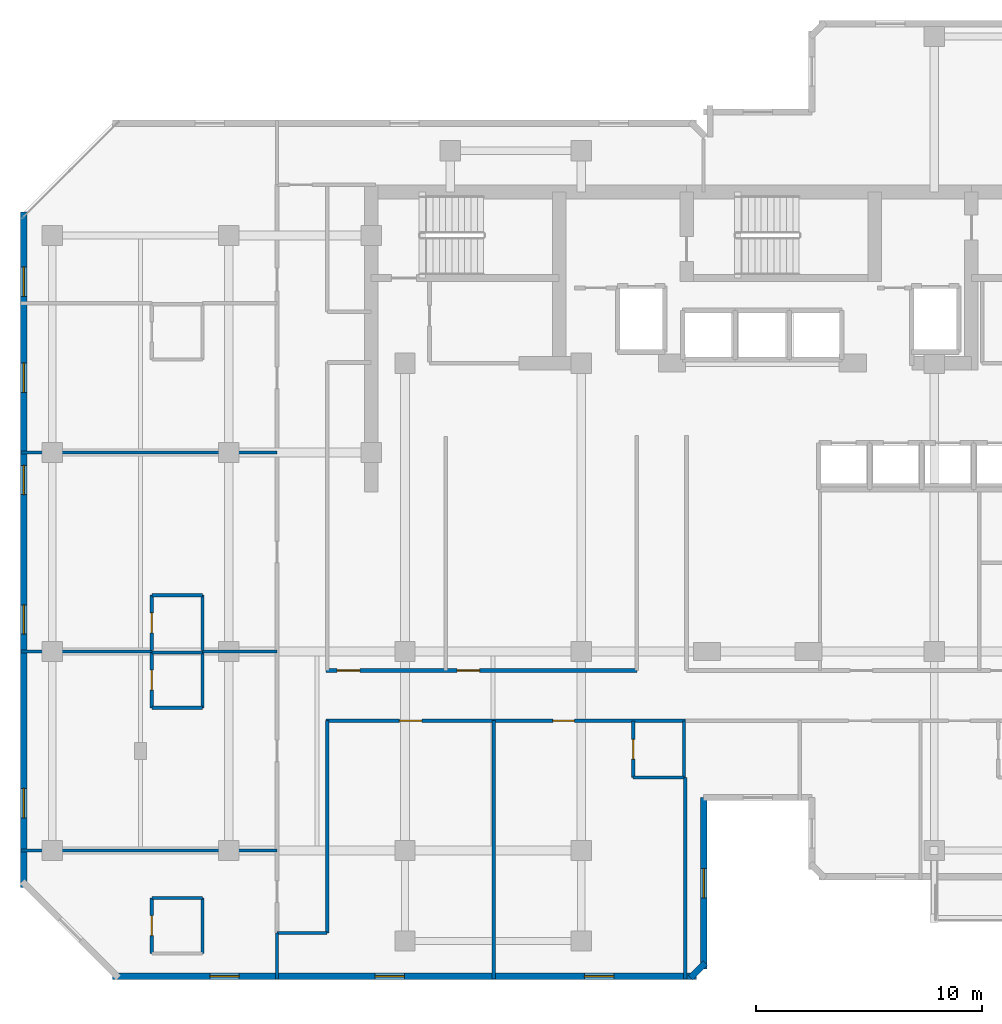
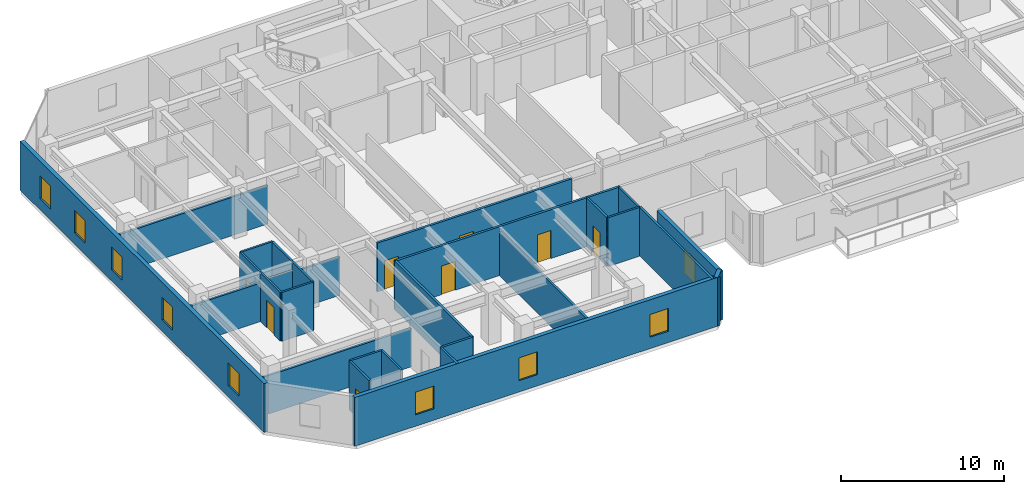
# One storey, part 4 of 11: 28 walls, 9 windows, 8 doors, 17 openings.
"""IFC4 building model written with IfcOpenShell, lengths in metres."""

from ifc_helpers import new_model, si_unit, direction, frame, frame_2d, origin, place, context, subcontext, project, spatial, rectangle, extrude, material, layer, layer_set, type_object, element, fill, save


model = new_model("IFC4")

# Units and contexts
model_context = context("Model", 3, precision=1e-05, world=origin(), true_north=direction((0.0, 1.0)))
body_context = subcontext(model_context, "Body", "Model", "MODEL_VIEW")
ifc_project = project(units=[si_unit("LENGTHUNIT", "METRE"), si_unit("AREAUNIT", "SQUARE_METRE"), si_unit("VOLUMEUNIT", "CUBIC_METRE"), si_unit("PLANEANGLEUNIT", "RADIAN"), si_unit("MASSUNIT", "GRAM", prefix="KILO")], contexts=[model_context])

# Site, building, storey
site_placement = place(None, origin())
site = spatial("IfcSite", under=ifc_project, at=site_placement, CompositionType="ELEMENT")
building_placement = place(site_placement, origin())
building = spatial("IfcBuilding", under=site, at=building_placement, Name="Kestravale Grand Hotel", CompositionType="ELEMENT")
storey_placement = place(building_placement, frame((0.0, 0.0, 192.89990234375)))
storey = spatial("IfcBuildingStorey", under=building, at=storey_placement, Name="L48", CompositionType="ELEMENT", Elevation=192.89990234375)

# Wall, openings, windows
ifc_material_1 = material(Name="Precast concrete f'c 45 MPa", Category="concrete")
ifc_layer_1 = layer(ifc_material_1, 0.280029296875)
ifc_layer_set_1 = layer_set([ifc_layer_1], Name="EW-PREC-280")
wall_type_1 = type_object("IfcWallType", Name="EW-PREC-280", PredefinedType="SOLIDWALL", material=ifc_layer_set_1)
wall_1_placement = place(storey_placement, frame((10.4599609375, 5.639892578125, 0.0), z_axis=(0.0, 0.0, 1.0), x_axis=(1.0, 0.0, 0.0)))
wall_1 = element("IfcWall", 1, at=wall_1_placement, inside=storey, type_object=wall_type_1, Name="L48 fluted precast facade wall 1", PredefinedType="SOLIDWALL", context=body_context, shape_type="SweptSolid", body=[
    extrude(rectangle(XDim=25.830078125, YDim=0.280029296875, at=frame_2d((12.9150390625, 0.0))), origin(), (0.0, 0.0, 1.0), 3.650146484375),
])
opening_1_placement = place(wall_1_placement, frame((4.304931640625, 0.0, 0.85009765625)))
opening_1 = element("IfcOpeningElement", 2, at=opening_1_placement, cuts=wall_1, Name="Opening W-GUEST-1300", PredefinedType="OPENING", context=body_context, shape_type="SweptSolid", body=[
    extrude(rectangle(XDim=1.300048828125, YDim=1.699951171875, at=frame_2d((0.64990234375, 0.85009765625))), frame((0.0, 0.14990234375, 0.0), z_axis=(0.0, -1.0, 0.0), x_axis=(1.0, 0.0, 0.0)), (0.0, 0.0, 1.0), 0.300048828125),
])
opening_2_placement = place(wall_1_placement, frame((11.614990234375, 0.0, 0.85009765625)))
opening_2 = element("IfcOpeningElement", 3, at=opening_2_placement, cuts=wall_1, Name="Opening W-GUEST-1300", PredefinedType="OPENING", context=body_context, shape_type="SweptSolid", body=[
    extrude(rectangle(XDim=1.300048828125, YDim=1.699951171875, at=frame_2d((0.64990234375, 0.85009765625))), frame((0.0, 0.14990234375, 0.0), z_axis=(0.0, -1.0, 0.0), x_axis=(1.0, 0.0, 0.0)), (0.0, 0.0, 1.0), 0.300048828125),
])
opening_3_placement = place(wall_1_placement, frame((20.875, 0.0, 0.85009765625)))
opening_3 = element("IfcOpeningElement", 4, at=opening_3_placement, cuts=wall_1, Name="Opening W-GUEST-1300", PredefinedType="OPENING", context=body_context, shape_type="SweptSolid", body=[
    extrude(rectangle(XDim=1.300048828125, YDim=1.699951171875, at=frame_2d((0.64990234375, 0.85009765625))), frame((0.0, 0.14990234375, 0.0), z_axis=(0.0, -1.0, 0.0), x_axis=(1.0, 0.0, 0.0)), (0.0, 0.0, 1.0), 0.300048828125),
])
ifc_material_2 = material(Name="Insulated low-E double glazing in aluminium frame", Category="aluminium")
window_type = type_object("IfcWindowType", Name="W-GUEST-1300", PartitioningType="SINGLE_PANEL", PredefinedType="WINDOW", material=ifc_material_2)
window_1_placement = place(opening_1_placement, origin())
window_1 = element("IfcWindow", 5, at=window_1_placement, inside=storey, type_object=window_type, Name="L48 exterior window 1.1", OverallHeight=1.699951171875, OverallWidth=1.300048828125, PartitioningType="SINGLE_PANEL", PredefinedType="WINDOW", context=body_context, shape_type="SweptSolid", body=[
    extrude(rectangle(XDim=1.300048828125, YDim=1.699951171875, at=frame_2d((0.64990234375, 0.85009765625))), frame((0.0, 0.030029296875, 0.0), z_axis=(0.0, -1.0, 0.0), x_axis=(1.0, 0.0, 0.0)), (0.0, 0.0, 1.0), 0.06005859375),
])
fill(opening_1, window_1)
window_2_placement = place(opening_2_placement, origin())
window_2 = element("IfcWindow", 6, at=window_2_placement, inside=storey, type_object=window_type, Name="L48 exterior window 1.2", OverallHeight=1.699951171875, OverallWidth=1.300048828125, PartitioningType="SINGLE_PANEL", PredefinedType="WINDOW", context=body_context, shape_type="SweptSolid", body=[
    extrude(rectangle(XDim=1.300048828125, YDim=1.699951171875, at=frame_2d((0.64990234375, 0.85009765625))), frame((0.0, 0.030029296875, 0.0), z_axis=(0.0, -1.0, 0.0), x_axis=(1.0, 0.0, 0.0)), (0.0, 0.0, 1.0), 0.06005859375),
])
fill(opening_2, window_2)
window_3_placement = place(opening_3_placement, origin())
window_3 = element("IfcWindow", 7, at=window_3_placement, inside=storey, type_object=window_type, Name="L48 exterior window 1.3", OverallHeight=1.699951171875, OverallWidth=1.300048828125, PartitioningType="SINGLE_PANEL", PredefinedType="WINDOW", context=body_context, shape_type="SweptSolid", body=[
    extrude(rectangle(XDim=1.300048828125, YDim=1.699951171875, at=frame_2d((0.64990234375, 0.85009765625))), frame((0.0, 0.030029296875, 0.0), z_axis=(0.0, -1.0, 0.0), x_axis=(1.0, 0.0, 0.0)), (0.0, 0.0, 1.0), 0.06005859375),
])
fill(opening_3, window_3)

# Wall
wall_2_placement = place(storey_placement, frame((36.022705078125, 5.57080078125, 0.0), z_axis=(0.0, 0.0, 1.0), x_axis=(0.707106781187, 0.707106781187, 0.0)))
element("IfcWall", 8, at=wall_2_placement, inside=storey, type_object=wall_type_1, Name="L48 fluted precast facade wall 2", PredefinedType="SOLIDWALL", context=body_context, shape_type="SweptSolid", body=[
    extrude(rectangle(XDim=0.928466796875, YDim=0.280029296875, at=frame_2d((0.46435546875, 0.0))), origin(), (0.0, 0.0, 1.0), 3.650146484375),
])

# Wall, opening, window
wall_3_placement = place(storey_placement, frame((36.610107421875, 5.9599609375, 0.0), z_axis=(0.0, 0.0, 1.0), x_axis=(0.0, 1.0, 0.0)))
wall_3 = element("IfcWall", 9, at=wall_3_placement, inside=storey, type_object=wall_type_1, Name="L48 fluted precast facade wall 3", PredefinedType="SOLIDWALL", context=body_context, shape_type="SweptSolid", body=[
    extrude(rectangle(XDim=7.580078125, YDim=0.280029296875, at=frame_2d((3.7900390625, 0.0))), origin(), (0.0, 0.0, 1.0), 3.650146484375),
])
opening_4_placement = place(wall_3_placement, frame((3.139892578125, 0.0, 0.85009765625)))
opening_4 = element("IfcOpeningElement", 10, at=opening_4_placement, cuts=wall_3, Name="Opening W-GUEST-1300", PredefinedType="OPENING", context=body_context, shape_type="SweptSolid", body=[
    extrude(rectangle(XDim=1.300048828125, YDim=1.699951171875, at=frame_2d((0.64990234375, 0.85009765625))), frame((0.0, 0.14990234375, 0.0), z_axis=(0.0, -1.0, 0.0), x_axis=(1.0, 0.0, 0.0)), (0.0, 0.0, 1.0), 0.300048828125),
])
window_4_placement = place(opening_4_placement, origin())
window_4 = element("IfcWindow", 11, at=window_4_placement, inside=storey, type_object=window_type, Name="L48 exterior window 3.1", OverallHeight=1.699951171875, OverallWidth=1.300048828125, PartitioningType="SINGLE_PANEL", PredefinedType="WINDOW", context=body_context, shape_type="SweptSolid", body=[
    extrude(rectangle(XDim=1.300048828125, YDim=1.699951171875, at=frame_2d((0.64990234375, 0.85009765625))), frame((0.0, 0.030029296875, 0.0), z_axis=(0.0, -1.0, 0.0), x_axis=(1.0, 0.0, 0.0)), (0.0, 0.0, 1.0), 0.06005859375),
])
fill(opening_4, window_4)

# Wall, openings, windows
wall_4_placement = place(storey_placement, frame((6.5400390625, 39.43994140625, 0.0), z_axis=(0.0, 0.0, 1.0), x_axis=(0.0, -1.0, 0.0)))
wall_4 = element("IfcWall", 12, at=wall_4_placement, inside=storey, type_object=wall_type_1, Name="L48 fluted precast facade wall 19", PredefinedType="SOLIDWALL", context=body_context, shape_type="SweptSolid", body=[
    extrude(rectangle(XDim=29.8798828125, YDim=0.280029296875, at=frame_2d((14.93994140625, 0.0))), origin(), (0.0, 0.0, 1.0), 3.650146484375),
])
opening_5_placement = place(wall_4_placement, frame((2.43505859375, 0.0, 0.85009765625)))
opening_5 = element("IfcOpeningElement", 13, at=opening_5_placement, cuts=wall_4, Name="Opening W-GUEST-1300", PredefinedType="OPENING", context=body_context, shape_type="SweptSolid", body=[
    extrude(rectangle(XDim=1.300048828125, YDim=1.699951171875, at=frame_2d((0.64990234375, 0.85009765625))), frame((0.0, 0.14990234375, 0.0), z_axis=(0.0, -1.0, 0.0), x_axis=(1.0, 0.0, 0.0)), (0.0, 0.0, 1.0), 0.300048828125),
])
opening_6_placement = place(wall_4_placement, frame((11.205078125, 0.0, 0.85009765625)))
opening_6 = element("IfcOpeningElement", 14, at=opening_6_placement, cuts=wall_4, Name="Opening W-GUEST-1300", PredefinedType="OPENING", context=body_context, shape_type="SweptSolid", body=[
    extrude(rectangle(XDim=1.300048828125, YDim=1.699951171875, at=frame_2d((0.64990234375, 0.85009765625))), frame((0.0, 0.14990234375, 0.0), z_axis=(0.0, -1.0, 0.0), x_axis=(1.0, 0.0, 0.0)), (0.0, 0.0, 1.0), 0.300048828125),
])
opening_7_placement = place(wall_4_placement, frame((17.375, 0.0, 0.85009765625)))
opening_7 = element("IfcOpeningElement", 15, at=opening_7_placement, cuts=wall_4, Name="Opening W-GUEST-1300", PredefinedType="OPENING", context=body_context, shape_type="SweptSolid", body=[
    extrude(rectangle(XDim=1.300048828125, YDim=1.699951171875, at=frame_2d((0.64990234375, 0.85009765625))), frame((0.0, 0.14990234375, 0.0), z_axis=(0.0, -1.0, 0.0), x_axis=(1.0, 0.0, 0.0)), (0.0, 0.0, 1.0), 0.300048828125),
])
opening_8_placement = place(wall_4_placement, frame((25.4951171875, 0.0, 0.85009765625)))
opening_8 = element("IfcOpeningElement", 16, at=opening_8_placement, cuts=wall_4, Name="Opening W-GUEST-1300", PredefinedType="OPENING", context=body_context, shape_type="SweptSolid", body=[
    extrude(rectangle(XDim=1.300048828125, YDim=1.699951171875, at=frame_2d((0.64990234375, 0.85009765625))), frame((0.0, 0.14990234375, 0.0), z_axis=(0.0, -1.0, 0.0), x_axis=(1.0, 0.0, 0.0)), (0.0, 0.0, 1.0), 0.300048828125),
])
opening_9_placement = place(wall_4_placement, frame((6.679931640625, 0.0, 0.85009765625)))
opening_9 = element("IfcOpeningElement", 17, at=opening_9_placement, cuts=wall_4, Name="Opening W-GUEST-1300", PredefinedType="OPENING", context=body_context, shape_type="SweptSolid", body=[
    extrude(rectangle(XDim=1.300048828125, YDim=1.699951171875, at=frame_2d((0.64990234375, 0.85009765625))), frame((0.0, 0.14990234375, 0.0), z_axis=(0.0, -1.0, 0.0), x_axis=(1.0, 0.0, 0.0)), (0.0, 0.0, 1.0), 0.300048828125),
])
window_5_placement = place(opening_5_placement, origin())
window_5 = element("IfcWindow", 18, at=window_5_placement, inside=storey, type_object=window_type, Name="L48 exterior window 19.1", OverallHeight=1.699951171875, OverallWidth=1.300048828125, PartitioningType="SINGLE_PANEL", PredefinedType="WINDOW", context=body_context, shape_type="SweptSolid", body=[
    extrude(rectangle(XDim=1.300048828125, YDim=1.699951171875, at=frame_2d((0.64990234375, 0.85009765625))), frame((0.0, 0.030029296875, 0.0), z_axis=(0.0, -1.0, 0.0), x_axis=(1.0, 0.0, 0.0)), (0.0, 0.0, 1.0), 0.06005859375),
])
fill(opening_5, window_5)
window_6_placement = place(opening_6_placement, origin())
window_6 = element("IfcWindow", 19, at=window_6_placement, inside=storey, type_object=window_type, Name="L48 exterior window 19.2", OverallHeight=1.699951171875, OverallWidth=1.300048828125, PartitioningType="SINGLE_PANEL", PredefinedType="WINDOW", context=body_context, shape_type="SweptSolid", body=[
    extrude(rectangle(XDim=1.300048828125, YDim=1.699951171875, at=frame_2d((0.64990234375, 0.85009765625))), frame((0.0, 0.030029296875, 0.0), z_axis=(0.0, -1.0, 0.0), x_axis=(1.0, 0.0, 0.0)), (0.0, 0.0, 1.0), 0.06005859375),
])
fill(opening_6, window_6)
window_7_placement = place(opening_7_placement, origin())
window_7 = element("IfcWindow", 20, at=window_7_placement, inside=storey, type_object=window_type, Name="L48 exterior window 19.3", OverallHeight=1.699951171875, OverallWidth=1.300048828125, PartitioningType="SINGLE_PANEL", PredefinedType="WINDOW", context=body_context, shape_type="SweptSolid", body=[
    extrude(rectangle(XDim=1.300048828125, YDim=1.699951171875, at=frame_2d((0.64990234375, 0.85009765625))), frame((0.0, 0.030029296875, 0.0), z_axis=(0.0, -1.0, 0.0), x_axis=(1.0, 0.0, 0.0)), (0.0, 0.0, 1.0), 0.06005859375),
])
fill(opening_7, window_7)
window_8_placement = place(opening_8_placement, origin())
window_8 = element("IfcWindow", 21, at=window_8_placement, inside=storey, type_object=window_type, Name="L48 exterior window 19.4", OverallHeight=1.699951171875, OverallWidth=1.300048828125, PartitioningType="SINGLE_PANEL", PredefinedType="WINDOW", context=body_context, shape_type="SweptSolid", body=[
    extrude(rectangle(XDim=1.300048828125, YDim=1.699951171875, at=frame_2d((0.64990234375, 0.85009765625))), frame((0.0, 0.030029296875, 0.0), z_axis=(0.0, -1.0, 0.0), x_axis=(1.0, 0.0, 0.0)), (0.0, 0.0, 1.0), 0.06005859375),
])
fill(opening_8, window_8)
window_9_placement = place(opening_9_placement, origin())
window_9 = element("IfcWindow", 22, at=window_9_placement, inside=storey, type_object=window_type, Name="L48 guestroom envelope window 1", OverallHeight=1.699951171875, OverallWidth=1.300048828125, PartitioningType="SINGLE_PANEL", PredefinedType="WINDOW", context=body_context, shape_type="SweptSolid", body=[
    extrude(rectangle(XDim=1.300048828125, YDim=1.699951171875, at=frame_2d((0.64990234375, 0.85009765625))), frame((0.0, 0.030029296875, 0.0), z_axis=(0.0, -1.0, 0.0), x_axis=(1.0, 0.0, 0.0)), (0.0, 0.0, 1.0), 0.06005859375),
])
fill(opening_9, window_9)

# Wall, openings, doors
ifc_material_3 = material(Name="Acoustic fire-rated gypsum board partition", Category="other")
ifc_layer_2 = layer(ifc_material_3, 0.159912109375)
ifc_layer_set_2 = layer_set([ifc_layer_2], Name="IW-CORR-160")
wall_type_2 = type_object("IfcWallType", Name="IW-CORR-160", PredefinedType="PARTITIONING", material=ifc_layer_set_2)
wall_5_placement = place(storey_placement, frame((19.89990234375, 19.159912109375, 0.0), z_axis=(0.0, 0.0, 1.0), x_axis=(1.0, 0.0, 0.0)))
wall_5 = element("IfcWall", 23, at=wall_5_placement, inside=storey, type_object=wall_type_2, Name="W-L48-CW-N", PredefinedType="PARTITIONING", context=body_context, shape_type="SweptSolid", body=[
    extrude(rectangle(XDim=13.75, YDim=0.159912109375, at=frame_2d((6.875, 0.0))), origin(), (0.0, 0.0, 1.0), 3.650146484375),
])
opening_10_placement = place(wall_5_placement, frame((0.5, 0.0, 0.0)))
opening_10 = element("IfcOpeningElement", 24, at=opening_10_placement, cuts=wall_5, Name="Opening D-GUEST-1000", PredefinedType="OPENING", context=body_context, shape_type="SweptSolid", body=[
    extrude(rectangle(XDim=1.0, YDim=2.14990234375, at=frame_2d((0.5, 1.074951171875))), frame((0.0, 0.08984375, 0.0), z_axis=(0.0, -1.0, 0.0), x_axis=(1.0, 0.0, 0.0)), (0.0, 0.0, 1.0), 0.179931640625),
])
opening_11_placement = place(wall_5_placement, frame((5.800048828125, 0.0, 0.0)))
opening_11 = element("IfcOpeningElement", 25, at=opening_11_placement, cuts=wall_5, Name="Opening D-GUEST-1000", PredefinedType="OPENING", context=body_context, shape_type="SweptSolid", body=[
    extrude(rectangle(XDim=1.0, YDim=2.14990234375, at=frame_2d((0.5, 1.074951171875))), frame((0.0, 0.08984375, 0.0), z_axis=(0.0, -1.0, 0.0), x_axis=(1.0, 0.0, 0.0)), (0.0, 0.0, 1.0), 0.179931640625),
])
ifc_material_4 = material(Name="Accessible walnut veneer hotel entrance fire door", Category="wood")
door_type_1 = type_object("IfcDoorType", Name="D-GUEST-1000", OperationType="NOTDEFINED", PredefinedType="DOOR", material=ifc_material_4)
door_1_placement = place(opening_10_placement, origin())
door_1 = element("IfcDoor", 26, at=door_1_placement, inside=storey, type_object=door_type_1, Name="D-L48-RECL-W1", OperationType="SINGLE_SWING_RIGHT", OverallHeight=2.14990234375, OverallWidth=1.0, PredefinedType="DOOR", context=body_context, shape_type="SweptSolid", body=[
    extrude(rectangle(XDim=1.0, YDim=2.14990234375, at=frame_2d((0.5, 1.074951171875))), frame((0.0, 0.02490234375, 0.0), z_axis=(0.0, -1.0, 0.0), x_axis=(1.0, 0.0, 0.0)), (0.0, 0.0, 1.0), 0.050048828125),
])
fill(opening_10, door_1)
door_2_placement = place(opening_11_placement, origin())
door_2 = element("IfcDoor", 27, at=door_2_placement, inside=storey, type_object=door_type_1, Name="D-L48-RECL-W2", OperationType="SINGLE_SWING_LEFT", OverallHeight=2.14990234375, OverallWidth=1.0, PredefinedType="DOOR", context=body_context, shape_type="SweptSolid", body=[
    extrude(rectangle(XDim=1.0, YDim=2.14990234375, at=frame_2d((0.5, 1.074951171875))), frame((0.0, 0.02490234375, 0.0), z_axis=(0.0, -1.0, 0.0), x_axis=(1.0, 0.0, 0.0)), (0.0, 0.0, 1.0), 0.050048828125),
])
fill(opening_11, door_2)

wall_6_placement = place(storey_placement, frame((19.89990234375, 16.93994140625, 0.0), z_axis=(0.0, 0.0, 1.0), x_axis=(1.0, 0.0, 0.0)))
wall_6 = element("IfcWall", 28, at=wall_6_placement, inside=storey, type_object=wall_type_2, Name="W-L48-CW-S", PredefinedType="PARTITIONING", context=body_context, shape_type="SweptSolid", body=[
    extrude(rectangle(XDim=15.900146484375, YDim=0.159912109375, at=frame_2d((7.9501953125, 0.0))), origin(), (0.0, 0.0, 1.0), 3.650146484375),
])
opening_12_placement = place(wall_6_placement, frame((3.2451171875, 0.0, 0.0)))
opening_12 = element("IfcOpeningElement", 29, at=opening_12_placement, cuts=wall_6, Name="Opening D-GUEST-1000", PredefinedType="OPENING", context=body_context, shape_type="SweptSolid", body=[
    extrude(rectangle(XDim=1.0, YDim=2.14990234375, at=frame_2d((0.5, 1.074951171875))), frame((0.0, 0.08984375, 0.0), z_axis=(0.0, -1.0, 0.0), x_axis=(1.0, 0.0, 0.0)), (0.0, 0.0, 1.0), 0.179931640625),
])
opening_13_placement = place(wall_6_placement, frame((10.034912109375, 0.0, 0.0)))
opening_13 = element("IfcOpeningElement", 30, at=opening_13_placement, cuts=wall_6, Name="Opening D-GUEST-950", PredefinedType="OPENING", context=body_context, shape_type="SweptSolid", body=[
    extrude(rectangle(XDim=0.949951171875, YDim=2.10009765625, at=frame_2d((0.47509765625, 1.050048828125))), frame((0.0, 0.08984375, 0.0), z_axis=(0.0, -1.0, 0.0), x_axis=(1.0, 0.0, 0.0)), (0.0, 0.0, 1.0), 0.179931640625),
])
door_3_placement = place(opening_12_placement, origin())
door_3 = element("IfcDoor", 31, at=door_3_placement, inside=storey, type_object=door_type_1, Name="D-L48-AMW", OperationType="SINGLE_SWING_RIGHT", OverallHeight=2.14990234375, OverallWidth=1.0, PredefinedType="DOOR", context=body_context, shape_type="SweptSolid", body=[
    extrude(rectangle(XDim=1.0, YDim=2.14990234375, at=frame_2d((0.5, 1.074951171875))), frame((0.0, 0.02490234375, 0.0), z_axis=(0.0, -1.0, 0.0), x_axis=(1.0, 0.0, 0.0)), (0.0, 0.0, 1.0), 0.050048828125),
])
fill(opening_12, door_3)
ifc_material_5 = material(Name="Walnut veneer hotel guestroom entrance fire door", Category="wood")
door_type_2 = type_object("IfcDoorType", Name="D-GUEST-950", OperationType="NOTDEFINED", PredefinedType="DOOR", material=ifc_material_5)
door_4_placement = place(opening_13_placement, origin())
door_4 = element("IfcDoor", 32, at=door_4_placement, inside=storey, type_object=door_type_2, Name="D-L48-U01-ENT", OperationType="SINGLE_SWING_RIGHT", OverallHeight=2.10009765625, OverallWidth=0.949951171875, PredefinedType="DOOR", context=body_context, shape_type="SweptSolid", body=[
    extrude(rectangle(XDim=0.949951171875, YDim=2.10009765625, at=frame_2d((0.47509765625, 1.050048828125))), frame((0.0, 0.02490234375, 0.0), z_axis=(0.0, -1.0, 0.0), x_axis=(1.0, 0.0, 0.0)), (0.0, 0.0, 1.0), 0.050048828125),
])
fill(opening_13, door_4)

# Wall
wall_7_placement = place(storey_placement, frame((19.9599609375, 7.550048828125, 0.0), z_axis=(0.0, 0.0, 1.0), x_axis=(0.0, 1.0, 0.0)))
element("IfcWall", 33, at=wall_7_placement, inside=storey, type_object=wall_type_2, Name="W-L48-SW-E", PredefinedType="PARTITIONING", context=body_context, shape_type="SweptSolid", body=[
    extrude(rectangle(XDim=9.389892578125, YDim=0.159912109375, at=frame_2d((4.69482421875, 0.0))), origin(), (0.0, 0.0, 1.0), 3.650146484375),
])

# Wall, opening, door
ifc_material_6 = material(Name="Moisture-resistant tile-backer plumbing chase wall", Category="other")
ifc_layer_3 = layer(ifc_material_6, 0.139892578125)
ifc_layer_set_3 = layer_set([ifc_layer_3], Name="IW-PLB-140")
wall_type_3 = type_object("IfcWallType", Name="IW-PLB-140", PredefinedType="PLUMBINGWALL", material=ifc_layer_set_3)
wall_8_placement = place(storey_placement, frame((33.489990234375, 14.429931640625, 0.0), z_axis=(0.0, 0.0, 1.0), x_axis=(0.0, 1.0, 0.0)))
wall_8 = element("IfcWall", 34, at=wall_8_placement, inside=storey, type_object=wall_type_3, Name="W-L48-U01-BW", PredefinedType="PLUMBINGWALL", context=body_context, shape_type="SweptSolid", body=[
    extrude(rectangle(XDim=2.489990234375, YDim=0.139892578125, at=frame_2d((1.2451171875, 0.0))), origin(), (0.0, 0.0, 1.0), 3.650146484375),
])
opening_14_placement = place(wall_8_placement, frame((0.804931640625, 0.0, 0.0)))
opening_14 = element("IfcOpeningElement", 35, at=opening_14_placement, cuts=wall_8, Name="Opening D-BATH-880", PredefinedType="OPENING", context=body_context, shape_type="SweptSolid", body=[
    extrude(rectangle(XDim=0.8798828125, YDim=2.050048828125, at=frame_2d((0.43994140625, 1.02490234375))), frame((0.0, 0.079833984375, 0.0), z_axis=(0.0, -1.0, 0.0), x_axis=(1.0, 0.0, 0.0)), (0.0, 0.0, 1.0), 0.159912109375),
])
ifc_material_7 = material(Name="Moisture-sealed walnut en-suite bathroom door", Category="wood")
door_type_3 = type_object("IfcDoorType", Name="D-BATH-880", OperationType="NOTDEFINED", PredefinedType="DOOR", material=ifc_material_7)
door_5_placement = place(opening_14_placement, origin())
door_5 = element("IfcDoor", 36, at=door_5_placement, inside=storey, type_object=door_type_3, Name="D-L48-U01-BATH", OperationType="SINGLE_SWING_LEFT", OverallHeight=2.050048828125, OverallWidth=0.8798828125, PredefinedType="DOOR", context=body_context, shape_type="SweptSolid", body=[
    extrude(rectangle(XDim=0.8798828125, YDim=2.050048828125, at=frame_2d((0.43994140625, 1.02490234375))), frame((0.0, 0.02490234375, 0.0), z_axis=(0.0, -1.0, 0.0), x_axis=(1.0, 0.0, 0.0)), (0.0, 0.0, 1.0), 0.050048828125),
])
fill(opening_14, door_5)

# Walls
wall_9_placement = place(storey_placement, frame((35.739990234375, 14.429931640625, 0.0), z_axis=(0.0, 0.0, 1.0), x_axis=(0.0, 1.0, 0.0)))
element("IfcWall", 37, at=wall_9_placement, inside=storey, type_object=wall_type_3, Name="W-L48-U01-BE", PredefinedType="PLUMBINGWALL", context=body_context, shape_type="SweptSolid", body=[
    extrude(rectangle(XDim=2.489990234375, YDim=0.139892578125, at=frame_2d((1.2451171875, 0.0))), origin(), (0.0, 0.0, 1.0), 3.650146484375),
])
wall_10_placement = place(storey_placement, frame((33.489990234375, 14.429931640625, 0.0), z_axis=(0.0, 0.0, 1.0), x_axis=(1.0, 0.0, 0.0)))
element("IfcWall", 38, at=wall_10_placement, inside=storey, type_object=wall_type_3, Name="W-L48-U01-BS", PredefinedType="PLUMBINGWALL", context=body_context, shape_type="SweptSolid", body=[
    extrude(rectangle(XDim=2.25, YDim=0.139892578125, at=frame_2d((1.125, 0.0))), origin(), (0.0, 0.0, 1.0), 3.650146484375),
])

# Wall, opening, door
wall_11_placement = place(storey_placement, frame((12.199951171875, 6.64990234375, 0.0), z_axis=(0.0, 0.0, 1.0), x_axis=(0.0, 1.0, 0.0)))
wall_11 = element("IfcWall", 39, at=wall_11_placement, inside=storey, type_object=wall_type_3, Name="W-L48-U04-BW", PredefinedType="PLUMBINGWALL", context=body_context, shape_type="SweptSolid", body=[
    extrude(rectangle(XDim=2.4501953125, YDim=0.139892578125, at=frame_2d((1.22509765625, 0.0))), origin(), (0.0, 0.0, 1.0), 3.650146484375),
])
opening_15_placement = place(wall_11_placement, frame((0.784912109375, 0.0, 0.0)))
opening_15 = element("IfcOpeningElement", 40, at=opening_15_placement, cuts=wall_11, Name="Opening D-BATH-880", PredefinedType="OPENING", context=body_context, shape_type="SweptSolid", body=[
    extrude(rectangle(XDim=0.8798828125, YDim=2.050048828125, at=frame_2d((0.43994140625, 1.02490234375))), frame((0.0, 0.079833984375, 0.0), z_axis=(0.0, -1.0, 0.0), x_axis=(1.0, 0.0, 0.0)), (0.0, 0.0, 1.0), 0.159912109375),
])
door_6_placement = place(opening_15_placement, origin())
door_6 = element("IfcDoor", 41, at=door_6_placement, inside=storey, type_object=door_type_3, Name="D-L48-U04-BATH", OperationType="SINGLE_SWING_RIGHT", OverallHeight=2.050048828125, OverallWidth=0.8798828125, PredefinedType="DOOR", context=body_context, shape_type="SweptSolid", body=[
    extrude(rectangle(XDim=0.8798828125, YDim=2.050048828125, at=frame_2d((0.43994140625, 1.02490234375))), frame((0.0, 0.02490234375, 0.0), z_axis=(0.0, -1.0, 0.0), x_axis=(1.0, 0.0, 0.0)), (0.0, 0.0, 1.0), 0.050048828125),
])
fill(opening_15, door_6)

# Walls
wall_12_placement = place(storey_placement, frame((14.449951171875, 6.64990234375, 0.0), z_axis=(0.0, 0.0, 1.0), x_axis=(0.0, 1.0, 0.0)))
element("IfcWall", 42, at=wall_12_placement, inside=storey, type_object=wall_type_3, Name="W-L48-U04-BE", PredefinedType="PLUMBINGWALL", context=body_context, shape_type="SweptSolid", body=[
    extrude(rectangle(XDim=2.4501953125, YDim=0.139892578125, at=frame_2d((1.22509765625, 0.0))), origin(), (0.0, 0.0, 1.0), 3.650146484375),
])
wall_13_placement = place(storey_placement, frame((12.199951171875, 9.10009765625, 0.0), z_axis=(0.0, 0.0, 1.0), x_axis=(1.0, 0.0, 0.0)))
element("IfcWall", 43, at=wall_13_placement, inside=storey, type_object=wall_type_3, Name="W-L48-U04-BN", PredefinedType="PLUMBINGWALL", context=body_context, shape_type="SweptSolid", body=[
    extrude(rectangle(XDim=2.25, YDim=0.139892578125, at=frame_2d((1.125, 0.0))), origin(), (0.0, 0.0, 1.0), 3.650146484375),
])

# Wall, opening, door
wall_14_placement = place(storey_placement, frame((12.199951171875, 17.510009765625, 0.0), z_axis=(0.0, 0.0, 1.0), x_axis=(0.0, 1.0, 0.0)))
wall_14 = element("IfcWall", 44, at=wall_14_placement, inside=storey, type_object=wall_type_3, Name="W-L48-U05-BW", PredefinedType="PLUMBINGWALL", context=body_context, shape_type="SweptSolid", body=[
    extrude(rectangle(XDim=2.449951171875, YDim=0.139892578125, at=frame_2d((1.22509765625, 0.0))), origin(), (0.0, 0.0, 1.0), 3.650146484375),
])
opening_16_placement = place(wall_14_placement, frame((0.784912109375, 0.0, 0.0)))
opening_16 = element("IfcOpeningElement", 45, at=opening_16_placement, cuts=wall_14, Name="Opening D-BATH-880", PredefinedType="OPENING", context=body_context, shape_type="SweptSolid", body=[
    extrude(rectangle(XDim=0.8798828125, YDim=2.050048828125, at=frame_2d((0.43994140625, 1.02490234375))), frame((0.0, 0.079833984375, 0.0), z_axis=(0.0, -1.0, 0.0), x_axis=(1.0, 0.0, 0.0)), (0.0, 0.0, 1.0), 0.159912109375),
])
door_7_placement = place(opening_16_placement, origin())
door_7 = element("IfcDoor", 46, at=door_7_placement, inside=storey, type_object=door_type_3, Name="D-L48-U05-BATH", OperationType="SINGLE_SWING_RIGHT", OverallHeight=2.050048828125, OverallWidth=0.8798828125, PredefinedType="DOOR", context=body_context, shape_type="SweptSolid", body=[
    extrude(rectangle(XDim=0.8798828125, YDim=2.050048828125, at=frame_2d((0.43994140625, 1.02490234375))), frame((0.0, 0.02490234375, 0.0), z_axis=(0.0, -1.0, 0.0), x_axis=(1.0, 0.0, 0.0)), (0.0, 0.0, 1.0), 0.050048828125),
])
fill(opening_16, door_7)

# Walls
wall_15_placement = place(storey_placement, frame((14.449951171875, 17.510009765625, 0.0), z_axis=(0.0, 0.0, 1.0), x_axis=(0.0, 1.0, 0.0)))
element("IfcWall", 47, at=wall_15_placement, inside=storey, type_object=wall_type_3, Name="W-L48-U05-BE", PredefinedType="PLUMBINGWALL", context=body_context, shape_type="SweptSolid", body=[
    extrude(rectangle(XDim=2.449951171875, YDim=0.139892578125, at=frame_2d((1.22509765625, 0.0))), origin(), (0.0, 0.0, 1.0), 3.650146484375),
])
wall_16_placement = place(storey_placement, frame((12.199951171875, 17.510009765625, 0.0), z_axis=(0.0, 0.0, 1.0), x_axis=(1.0, 0.0, 0.0)))
element("IfcWall", 48, at=wall_16_placement, inside=storey, type_object=wall_type_3, Name="W-L48-U05-BS", PredefinedType="PLUMBINGWALL", context=body_context, shape_type="SweptSolid", body=[
    extrude(rectangle(XDim=2.25, YDim=0.139892578125, at=frame_2d((1.125, 0.0))), origin(), (0.0, 0.0, 1.0), 3.650146484375),
])
wall_17_placement = place(storey_placement, frame((12.199951171875, 19.9599609375, 0.0), z_axis=(0.0, 0.0, 1.0), x_axis=(1.0, 0.0, 0.0)))
element("IfcWall", 49, at=wall_17_placement, inside=storey, type_object=wall_type_3, Name="W-L48-U05-BN", PredefinedType="PLUMBINGWALL", context=body_context, shape_type="SweptSolid", body=[
    extrude(rectangle(XDim=2.25, YDim=0.139892578125, at=frame_2d((1.125, 0.0))), origin(), (0.0, 0.0, 1.0), 3.0380859375),
])

# Wall, opening, door
wall_18_placement = place(storey_placement, frame((12.199951171875, 20.0400390625, 0.0), z_axis=(0.0, 0.0, 1.0), x_axis=(0.0, 1.0, 0.0)))
wall_18 = element("IfcWall", 50, at=wall_18_placement, inside=storey, type_object=wall_type_3, Name="W-L48-U06-BW", PredefinedType="PLUMBINGWALL", context=body_context, shape_type="SweptSolid", body=[
    extrude(rectangle(XDim=2.449951171875, YDim=0.139892578125, at=frame_2d((1.22509765625, 0.0))), origin(), (0.0, 0.0, 1.0), 3.650146484375),
])
opening_17_placement = place(wall_18_placement, frame((0.784912109375, 0.0, 0.0)))
opening_17 = element("IfcOpeningElement", 51, at=opening_17_placement, cuts=wall_18, Name="Opening D-BATH-880", PredefinedType="OPENING", context=body_context, shape_type="SweptSolid", body=[
    extrude(rectangle(XDim=0.8798828125, YDim=2.050048828125, at=frame_2d((0.43994140625, 1.02490234375))), frame((0.0, 0.079833984375, 0.0), z_axis=(0.0, -1.0, 0.0), x_axis=(1.0, 0.0, 0.0)), (0.0, 0.0, 1.0), 0.159912109375),
])
door_8_placement = place(opening_17_placement, origin())
door_8 = element("IfcDoor", 52, at=door_8_placement, inside=storey, type_object=door_type_3, Name="D-L48-U06-BATH", OperationType="SINGLE_SWING_RIGHT", OverallHeight=2.050048828125, OverallWidth=0.8798828125, PredefinedType="DOOR", context=body_context, shape_type="SweptSolid", body=[
    extrude(rectangle(XDim=0.8798828125, YDim=2.050048828125, at=frame_2d((0.43994140625, 1.02490234375))), frame((0.0, 0.02490234375, 0.0), z_axis=(0.0, -1.0, 0.0), x_axis=(1.0, 0.0, 0.0)), (0.0, 0.0, 1.0), 0.050048828125),
])
fill(opening_17, door_8)

# Walls
wall_19_placement = place(storey_placement, frame((14.449951171875, 20.0400390625, 0.0), z_axis=(0.0, 0.0, 1.0), x_axis=(0.0, 1.0, 0.0)))
element("IfcWall", 53, at=wall_19_placement, inside=storey, type_object=wall_type_3, Name="W-L48-U06-BE", PredefinedType="PLUMBINGWALL", context=body_context, shape_type="SweptSolid", body=[
    extrude(rectangle(XDim=2.449951171875, YDim=0.139892578125, at=frame_2d((1.22509765625, 0.0))), origin(), (0.0, 0.0, 1.0), 3.650146484375),
])
wall_20_placement = place(storey_placement, frame((12.199951171875, 22.489990234375, 0.0), z_axis=(0.0, 0.0, 1.0), x_axis=(1.0, 0.0, 0.0)))
element("IfcWall", 54, at=wall_20_placement, inside=storey, type_object=wall_type_3, Name="W-L48-U06-BN", PredefinedType="PLUMBINGWALL", context=body_context, shape_type="SweptSolid", body=[
    extrude(rectangle(XDim=2.25, YDim=0.139892578125, at=frame_2d((1.125, 0.0))), origin(), (0.0, 0.0, 1.0), 3.650146484375),
])
ifc_material_8 = material(Name="Double-stud STC 52 acoustic demising partition", Category="other")
ifc_layer_4 = layer(ifc_material_8, 0.14990234375)
ifc_layer_set_4 = layer_set([ifc_layer_4], Name="IW-UNIT-150")
wall_type_4 = type_object("IfcWallType", Name="IW-UNIT-150", PredefinedType="PARTITIONING", material=ifc_layer_set_4)
wall_21_placement = place(storey_placement, frame((17.739990234375, 7.550048828125, 0.0), z_axis=(0.0, 0.0, 1.0), x_axis=(1.0, 0.0, 0.0)))
element("IfcWall", 55, at=wall_21_placement, inside=storey, type_object=wall_type_4, Name="W-L48-SW-S", PredefinedType="PARTITIONING", context=body_context, shape_type="SweptSolid", body=[
    extrude(rectangle(XDim=2.219970703125, YDim=0.14990234375, at=frame_2d((1.10986328125, 0.0))), origin(), (0.0, 0.0, 1.0), 3.650146484375),
])
wall_22_placement = place(storey_placement, frame((27.330078125, 5.52001953125, 0.0), z_axis=(0.0, 0.0, 1.0), x_axis=(0.0, 1.0, 0.0)))
element("IfcWall", 56, at=wall_22_placement, inside=storey, type_object=wall_type_4, Name="W-L48-WS-1", PredefinedType="PARTITIONING", context=body_context, shape_type="SweptSolid", body=[
    extrude(rectangle(XDim=11.419921875, YDim=0.14990234375, at=frame_2d((5.7099609375, 0.0))), origin(), (0.0, 0.0, 1.0), 3.24609375),
])
wall_23_placement = place(storey_placement, frame((35.800048828125, 5.52001953125, 0.0), z_axis=(0.0, 0.0, 1.0), x_axis=(0.0, 1.0, 0.0)))
element("IfcWall", 57, at=wall_23_placement, inside=storey, type_object=wall_type_4, Name="W-L48-MID-S", PredefinedType="PARTITIONING", context=body_context, shape_type="SweptSolid", body=[
    extrude(rectangle(XDim=8.909912109375, YDim=0.14990234375, at=frame_2d((4.455078125, 0.0))), origin(), (0.0, 0.0, 1.0), 3.650146484375),
])
wall_24_placement = place(storey_placement, frame((17.739990234375, 5.52001953125, 0.0), z_axis=(0.0, 0.0, 1.0), x_axis=(0.0, 1.0, 0.0)))
element("IfcWall", 58, at=wall_24_placement, inside=storey, type_object=wall_type_4, Name="W-L48-SW-EXT", PredefinedType="PARTITIONING", context=body_context, shape_type="SweptSolid", body=[
    extrude(rectangle(XDim=2.030029296875, YDim=0.14990234375, at=frame_2d((1.01513671875, 0.0))), origin(), (0.0, 0.0, 1.0), 3.650146484375),
])
wall_25_placement = place(storey_placement, frame((6.419921875, 11.199951171875, 0.0), z_axis=(0.0, 0.0, 1.0), x_axis=(1.0, 0.0, 0.0)))
element("IfcWall", 59, at=wall_25_placement, inside=storey, type_object=wall_type_4, Name="W-L48-WW-1", PredefinedType="PARTITIONING", context=body_context, shape_type="SweptSolid", body=[
    extrude(rectangle(XDim=11.320068359375, YDim=0.14990234375, at=frame_2d((5.66015625, 0.0))), origin(), (0.0, 0.0, 1.0), 2.878173828125),
])
wall_26_placement = place(storey_placement, frame((6.419921875, 20.0, 0.0), z_axis=(0.0, 0.0, 1.0), x_axis=(1.0, 0.0, 0.0)))
element("IfcWall", 60, at=wall_26_placement, inside=storey, type_object=wall_type_4, Name="W-L48-WW-2", PredefinedType="PARTITIONING", context=body_context, shape_type="SweptSolid", body=[
    extrude(rectangle(XDim=5.780029296875, YDim=0.14990234375, at=frame_2d((2.89013671875, 0.0))), origin(), (0.0, 0.0, 1.0), 2.878173828125),
])
wall_27_placement = place(storey_placement, frame((14.449951171875, 20.0, 0.0), z_axis=(0.0, 0.0, 1.0), x_axis=(1.0, 0.0, 0.0)))
element("IfcWall", 61, at=wall_27_placement, inside=storey, type_object=wall_type_4, Name="W-L48-WW-2", PredefinedType="PARTITIONING", context=body_context, shape_type="SweptSolid", body=[
    extrude(rectangle(XDim=3.2900390625, YDim=0.14990234375, at=frame_2d((1.64501953125, 0.0))), origin(), (0.0, 0.0, 1.0), 2.878173828125),
])
wall_28_placement = place(storey_placement, frame((6.419921875, 28.800048828125, 0.0), z_axis=(0.0, 0.0, 1.0), x_axis=(1.0, 0.0, 0.0)))
element("IfcWall", 62, at=wall_28_placement, inside=storey, type_object=wall_type_4, Name="W-L48-WW-3", PredefinedType="PARTITIONING", context=body_context, shape_type="SweptSolid", body=[
    extrude(rectangle(XDim=11.320068359375, YDim=0.14990234375, at=frame_2d((5.66015625, 0.0))), origin(), (0.0, 0.0, 1.0), 2.878173828125),
])

save(model, "model.ifc")
